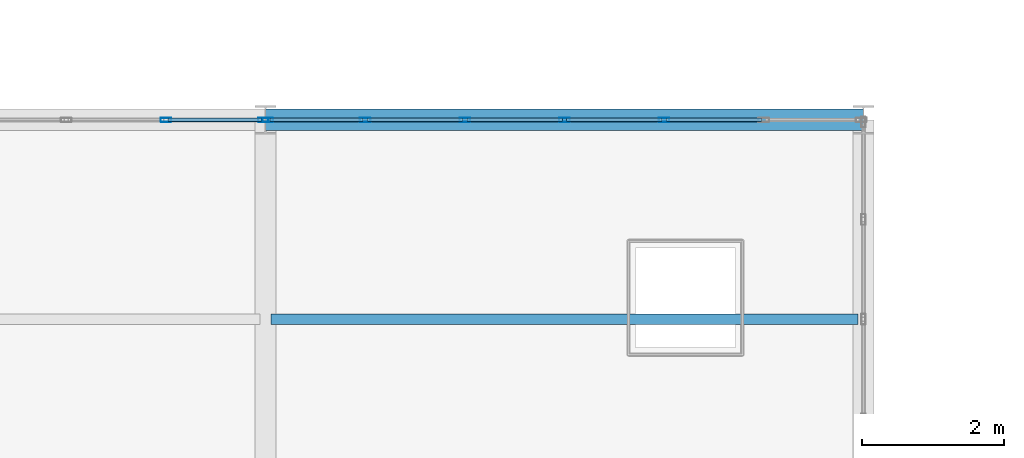
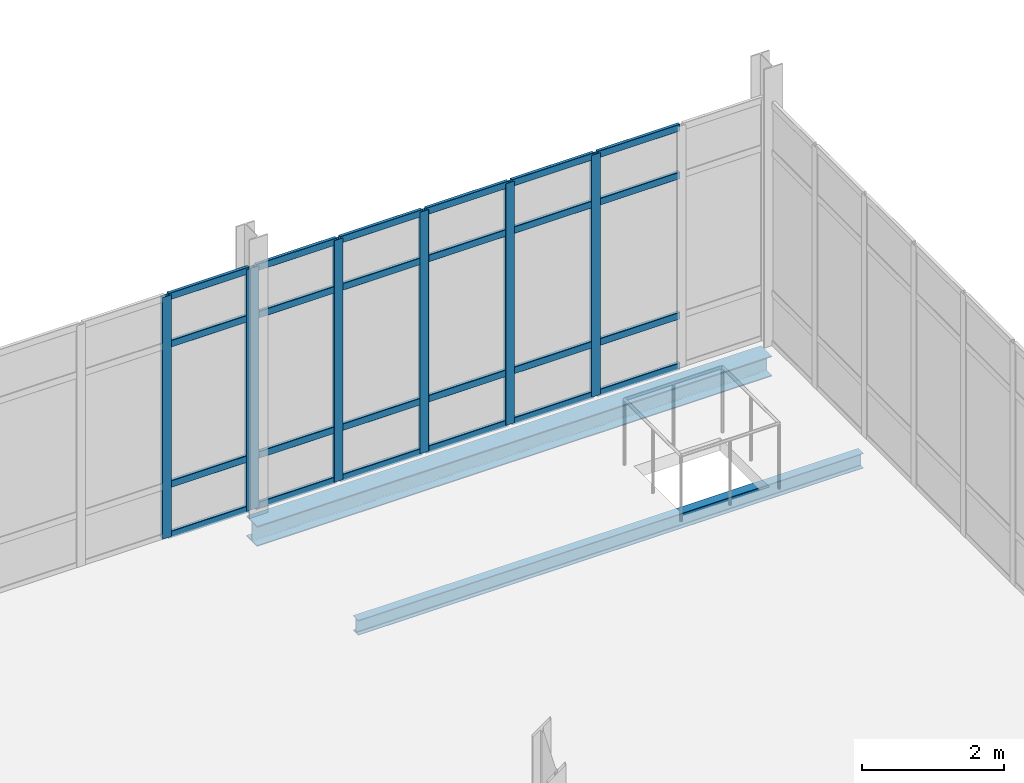
# One storey, part 67 of 145: 31 members, 2 beams, 2 elements without a shape of their own.
"""IFC4 building model written with IfcOpenShell, lengths in metres."""

from ifc_helpers import new_model, si_unit, direction, frame, origin, origin_2d, place, context, subcontext, project, spatial, hollow_rectangle, i_section, extrude, material, layer, layer_set, material_profile, profile_set, type_object, element, aggregate, save


model = new_model("IFC4")

# Units and contexts
model_context = context("Model", 3, precision=1e-05, world=origin(), true_north=direction((0.0, 1.0)))
body_context = subcontext(model_context, "Body", "Model", "MODEL_VIEW")
ifc_project = project(units=[si_unit("LENGTHUNIT", "METRE"), si_unit("AREAUNIT", "SQUARE_METRE"), si_unit("VOLUMEUNIT", "CUBIC_METRE"), si_unit("PLANEANGLEUNIT", "RADIAN"), si_unit("MASSUNIT", "GRAM", prefix="KILO")], contexts=[model_context])

# Site, building, storey
site_placement = place(None, origin())
site = spatial("IfcSite", under=ifc_project, at=site_placement, CompositionType="ELEMENT")
building_placement = place(site_placement, origin())
building = spatial("IfcBuilding", under=site, at=building_placement, Name="Qalvenar Corner Mobility Hub", CompositionType="ELEMENT")
storey_placement = place(building_placement, origin())
storey = spatial("IfcBuildingStorey", under=building, at=storey_placement, Name="L00", CompositionType="ELEMENT", Elevation=0.0)

# Beams
ifc_material_1 = material(Name="Steel S355", Category="steel")
ifc_material_profile_1 = material_profile(ifc_material_1, i_section(OverallWidth=0.14599609375, OverallDepth=0.258056640625, WebThickness=0.006103515625, FlangeThickness=0.009033203125, FilletRadius=0.011962890625, at=origin_2d()), Name="W250x32.7")
ifc_profile_set_1 = profile_set([ifc_material_profile_1], Name="Steel S355")
beam_type_1 = type_object("IfcBeamType", Name="BM-JST250", PredefinedType="JOIST", material=ifc_profile_set_1)
beam_1_placement = place(storey_placement, frame((25.278076171875, 89.60009765625, -0.34912109375), z_axis=(1.0, 0.0, 0.0), x_axis=(0.0, 1.0, 0.0)))
element("IfcBeam", 1, at=beam_1_placement, inside=storey, type_object=beam_type_1, Name="Composite Floor Joist J-0522", PredefinedType="JOIST", context=body_context, shape_type="SweptSolid", body=[
    extrude(i_section(OverallWidth=0.14599609375, OverallDepth=0.258056640625, WebThickness=0.006103515625, FlangeThickness=0.009033203125, FilletRadius=0.011962890625, at=origin_2d()), origin(), (0.0, 0.0, 1.0), 8.243896484375),
])
ifc_material_profile_2 = material_profile(ifc_material_1, i_section(OverallWidth=0.300048828125, OverallDepth=0.35009765625, WebThickness=0.010009765625, FlangeThickness=0.017578125, FilletRadius=0.027099609375, at=origin_2d()), Name="HEA360")
ifc_profile_set_2 = profile_set([ifc_material_profile_2], Name="Steel S355")
beam_type_2 = type_object("IfcBeamType", Name="BM-SPN360", PredefinedType="SPANDREL", material=ifc_profile_set_2)
beam_2_placement = place(storey_placement, frame((25.199951171875, 92.39990234375, -0.39501953125), z_axis=(1.0, 0.0, 0.0), x_axis=(0.0, 1.0, 0.0)))
element("IfcBeam", 2, at=beam_2_placement, inside=storey, type_object=beam_type_2, Name="Primary Steel Girder GX-0446", PredefinedType="SPANDREL", context=body_context, shape_type="SweptSolid", body=[
    extrude(i_section(OverallWidth=0.300048828125, OverallDepth=0.35009765625, WebThickness=0.010009765625, FlangeThickness=0.017578125, FilletRadius=0.027099609375, at=origin_2d()), origin(), (0.0, 0.0, 1.0), 8.400146484375),
])

# Curtain wall, members
ifc_material_2 = material(Name="Anodised Aluminium and Low-E Glazing", Category="aluminium")
ifc_layer = layer(ifc_material_2, 0.14990234375)
ifc_layer_set = layer_set([ifc_layer], Name="Anodised Aluminium and Low-E Glazing")
curtain_wall_type = type_object("IfcCurtainWallType", Name="CW-CYC-84X39", PredefinedType="NOTDEFINED", material=ifc_layer_set)
curtain_wall_1_placement = place(storey_placement, origin())
curtain_wall_1 = element("IfcCurtainWall", 3, at=curtain_wall_1_placement, inside=storey, type_object=curtain_wall_type, Name="Glazed Curtain Wall CW-V5-L00-N2", PredefinedType="NOTDEFINED")
ifc_material_3 = material(Name="Anodised Aluminium 6063-T6", Category="aluminium")
ifc_material_profile_3 = material_profile(ifc_material_3, hollow_rectangle(XDim=0.06005859375, YDim=0.14990234375, WallThickness=0.00390625, InnerFilletRadius=0.00390625, OuterFilletRadius=0.008056640625, at=origin_2d()), Name="RHS150x60x4")
ifc_profile_set_3 = profile_set([ifc_material_profile_3], Name="Anodised Aluminium 6063-T6")
member_type_1 = type_object("IfcMemberType", Name="CW-MUL150", PredefinedType="MULLION", material=ifc_profile_set_3)
member_1_placement = place(storey_placement, frame((25.169921875, 92.39990234375, 0.0), z_axis=(0.0, 0.0, 1.0), x_axis=(0.0, -1.0, 0.0)))
member_1 = element("IfcMember", 4, at=member_1_placement, type_object=member_type_1, Name="CW-08 mullion 1", PredefinedType="MULLION", context=body_context, shape_type="SweptSolid", body=[
    extrude(hollow_rectangle(XDim=0.06005859375, YDim=0.14990234375, WallThickness=0.00390625, InnerFilletRadius=0.00390625, OuterFilletRadius=0.008056640625, at=origin_2d()), origin(), (0.0, 0.0, 1.0), 4.169921875),
])
member_2_placement = place(storey_placement, frame((23.800048828125, 92.39990234375, 0.0), z_axis=(0.0, 0.0, 1.0), x_axis=(0.0, -1.0, 0.0)))
member_2 = element("IfcMember", 5, at=member_2_placement, type_object=member_type_1, Name="CW-08 mullion 2", PredefinedType="MULLION", context=body_context, shape_type="SweptSolid", body=[
    extrude(hollow_rectangle(XDim=0.06005859375, YDim=0.14990234375, WallThickness=0.00390625, InnerFilletRadius=0.00390625, OuterFilletRadius=0.008056640625, at=origin_2d()), origin(), (0.0, 0.0, 1.0), 4.169921875),
])

curtain_wall_2_placement = place(storey_placement, origin())
curtain_wall_2 = element("IfcCurtainWall", 6, at=curtain_wall_2_placement, inside=storey, type_object=curtain_wall_type, Name="Glazed Curtain Wall CW-V5-L00-N3", PredefinedType="NOTDEFINED")
member_3_placement = place(storey_placement, frame((30.800048828125, 92.39990234375, 0.0), z_axis=(0.0, 0.0, 1.0), x_axis=(0.0, -1.0, 0.0)))
member_3 = element("IfcMember", 7, at=member_3_placement, type_object=member_type_1, Name="CW-08 mullion 3", PredefinedType="MULLION", context=body_context, shape_type="SweptSolid", body=[
    extrude(hollow_rectangle(XDim=0.06005859375, YDim=0.14990234375, WallThickness=0.00390625, InnerFilletRadius=0.00390625, OuterFilletRadius=0.008056640625, at=origin_2d()), origin(), (0.0, 0.0, 1.0), 4.169921875),
])
member_4_placement = place(storey_placement, frame((29.39990234375, 92.39990234375, 0.0), z_axis=(0.0, 0.0, 1.0), x_axis=(0.0, -1.0, 0.0)))
member_4 = element("IfcMember", 8, at=member_4_placement, type_object=member_type_1, Name="CW-08 mullion 4", PredefinedType="MULLION", context=body_context, shape_type="SweptSolid", body=[
    extrude(hollow_rectangle(XDim=0.06005859375, YDim=0.14990234375, WallThickness=0.00390625, InnerFilletRadius=0.00390625, OuterFilletRadius=0.008056640625, at=origin_2d()), origin(), (0.0, 0.0, 1.0), 4.169921875),
])
member_5_placement = place(storey_placement, frame((28.0, 92.39990234375, 0.0), z_axis=(0.0, 0.0, 1.0), x_axis=(0.0, -1.0, 0.0)))
member_5 = element("IfcMember", 9, at=member_5_placement, type_object=member_type_1, Name="CW-08 mullion 5", PredefinedType="MULLION", context=body_context, shape_type="SweptSolid", body=[
    extrude(hollow_rectangle(XDim=0.06005859375, YDim=0.14990234375, WallThickness=0.00390625, InnerFilletRadius=0.00390625, OuterFilletRadius=0.008056640625, at=origin_2d()), origin(), (0.0, 0.0, 1.0), 4.169921875),
])
member_6_placement = place(storey_placement, frame((26.60009765625, 92.39990234375, 0.0), z_axis=(0.0, 0.0, 1.0), x_axis=(0.0, -1.0, 0.0)))
member_6 = element("IfcMember", 10, at=member_6_placement, type_object=member_type_1, Name="CW-08 mullion 6", PredefinedType="MULLION", context=body_context, shape_type="SweptSolid", body=[
    extrude(hollow_rectangle(XDim=0.06005859375, YDim=0.14990234375, WallThickness=0.00390625, InnerFilletRadius=0.00390625, OuterFilletRadius=0.008056640625, at=origin_2d()), origin(), (0.0, 0.0, 1.0), 4.169921875),
])
member_7_placement = place(storey_placement, frame((25.22998046875, 92.39990234375, 0.0), z_axis=(0.0, 0.0, 1.0), x_axis=(0.0, -1.0, 0.0)))
member_7 = element("IfcMember", 11, at=member_7_placement, type_object=member_type_1, Name="CW-08 mullion 7", PredefinedType="MULLION", context=body_context, shape_type="SweptSolid", body=[
    extrude(hollow_rectangle(XDim=0.06005859375, YDim=0.14990234375, WallThickness=0.00390625, InnerFilletRadius=0.00390625, OuterFilletRadius=0.008056640625, at=origin_2d()), origin(), (0.0, 0.0, 1.0), 4.169921875),
])

# Member
ifc_material_profile_4 = material_profile(ifc_material_3, hollow_rectangle(XDim=0.054931640625, YDim=0.1201171875, WallThickness=0.00341796875, InnerFilletRadius=0.00341796875, OuterFilletRadius=0.007080078125, at=origin_2d()), Name="RHS120x55x3.5")
ifc_profile_set_4 = profile_set([ifc_material_profile_4], Name="Anodised Aluminium 6063-T6")
member_type_2 = type_object("IfcMemberType", Name="CW-TRN120", PredefinedType="USERDEFINED", material=ifc_profile_set_4)
member_8_placement = place(storey_placement, frame((25.139892578125, 92.39990234375, 0.027587890625), z_axis=(-1.0, 0.0, 0.0), x_axis=(0.0, -1.0, 0.0)))
member_8 = element("IfcMember", 12, at=member_8_placement, type_object=member_type_2, Name="CW-08 transom 1.1", ObjectType="TRANSOM", PredefinedType="USERDEFINED", context=body_context, shape_type="SweptSolid", body=[
    extrude(hollow_rectangle(XDim=0.054931640625, YDim=0.1201171875, WallThickness=0.00341796875, InnerFilletRadius=0.00341796875, OuterFilletRadius=0.007080078125, at=origin_2d()), origin(), (0.0, 0.0, 1.0), 1.309814453125),
])

member_9_placement = place(storey_placement, frame((25.139892578125, 92.39990234375, 0.89990234375), z_axis=(-1.0, 0.0, 0.0), x_axis=(0.0, -1.0, 0.0)))
member_9 = element("IfcMember", 13, at=member_9_placement, type_object=member_type_2, Name="CW-08 transom 1.2", ObjectType="TRANSOM", PredefinedType="USERDEFINED", context=body_context, shape_type="SweptSolid", body=[
    extrude(hollow_rectangle(XDim=0.054931640625, YDim=0.1201171875, WallThickness=0.00341796875, InnerFilletRadius=0.00341796875, OuterFilletRadius=0.007080078125, at=origin_2d()), origin(), (0.0, 0.0, 1.0), 1.309814453125),
])

member_10_placement = place(storey_placement, frame((25.139892578125, 92.39990234375, 3.320068359375), z_axis=(-1.0, 0.0, 0.0), x_axis=(0.0, -1.0, 0.0)))
member_10 = element("IfcMember", 14, at=member_10_placement, type_object=member_type_2, Name="CW-08 transom 1.3", ObjectType="TRANSOM", PredefinedType="USERDEFINED", context=body_context, shape_type="SweptSolid", body=[
    extrude(hollow_rectangle(XDim=0.054931640625, YDim=0.1201171875, WallThickness=0.00341796875, InnerFilletRadius=0.00341796875, OuterFilletRadius=0.007080078125, at=origin_2d()), origin(), (0.0, 0.0, 1.0), 1.309814453125),
])

member_11_placement = place(storey_placement, frame((25.139892578125, 92.39990234375, 4.142578125), z_axis=(-1.0, 0.0, 0.0), x_axis=(0.0, -1.0, 0.0)))
member_11 = element("IfcMember", 15, at=member_11_placement, type_object=member_type_2, Name="CW-08 transom 1.4", ObjectType="TRANSOM", PredefinedType="USERDEFINED", context=body_context, shape_type="SweptSolid", body=[
    extrude(hollow_rectangle(XDim=0.054931640625, YDim=0.1201171875, WallThickness=0.00341796875, InnerFilletRadius=0.00341796875, OuterFilletRadius=0.007080078125, at=origin_2d()), origin(), (0.0, 0.0, 1.0), 1.309814453125),
])

aggregate(curtain_wall_1, [member_1, member_2, member_8, member_9, member_10, member_11])

member_12_placement = place(storey_placement, frame((32.169921875, 92.39990234375, 0.027587890625), z_axis=(-1.0, 0.0, 0.0), x_axis=(0.0, -1.0, 0.0)))
member_12 = element("IfcMember", 16, at=member_12_placement, type_object=member_type_2, Name="CW-08 transom 2.1", ObjectType="TRANSOM", PredefinedType="USERDEFINED", context=body_context, shape_type="SweptSolid", body=[
    extrude(hollow_rectangle(XDim=0.054931640625, YDim=0.1201171875, WallThickness=0.00341796875, InnerFilletRadius=0.00341796875, OuterFilletRadius=0.007080078125, at=origin_2d()), origin(), (0.0, 0.0, 1.0), 1.33984375),
])

member_13_placement = place(storey_placement, frame((32.169921875, 92.39990234375, 0.89990234375), z_axis=(-1.0, 0.0, 0.0), x_axis=(0.0, -1.0, 0.0)))
member_13 = element("IfcMember", 17, at=member_13_placement, type_object=member_type_2, Name="CW-08 transom 2.2", ObjectType="TRANSOM", PredefinedType="USERDEFINED", context=body_context, shape_type="SweptSolid", body=[
    extrude(hollow_rectangle(XDim=0.054931640625, YDim=0.1201171875, WallThickness=0.00341796875, InnerFilletRadius=0.00341796875, OuterFilletRadius=0.007080078125, at=origin_2d()), origin(), (0.0, 0.0, 1.0), 1.33984375),
])

member_14_placement = place(storey_placement, frame((32.169921875, 92.39990234375, 3.320068359375), z_axis=(-1.0, 0.0, 0.0), x_axis=(0.0, -1.0, 0.0)))
member_14 = element("IfcMember", 18, at=member_14_placement, type_object=member_type_2, Name="CW-08 transom 2.3", ObjectType="TRANSOM", PredefinedType="USERDEFINED", context=body_context, shape_type="SweptSolid", body=[
    extrude(hollow_rectangle(XDim=0.054931640625, YDim=0.1201171875, WallThickness=0.00341796875, InnerFilletRadius=0.00341796875, OuterFilletRadius=0.007080078125, at=origin_2d()), origin(), (0.0, 0.0, 1.0), 1.33984375),
])

member_15_placement = place(storey_placement, frame((32.169921875, 92.39990234375, 4.142578125), z_axis=(-1.0, 0.0, 0.0), x_axis=(0.0, -1.0, 0.0)))
member_15 = element("IfcMember", 19, at=member_15_placement, type_object=member_type_2, Name="CW-08 transom 2.4", ObjectType="TRANSOM", PredefinedType="USERDEFINED", context=body_context, shape_type="SweptSolid", body=[
    extrude(hollow_rectangle(XDim=0.054931640625, YDim=0.1201171875, WallThickness=0.00341796875, InnerFilletRadius=0.00341796875, OuterFilletRadius=0.007080078125, at=origin_2d()), origin(), (0.0, 0.0, 1.0), 1.33984375),
])

member_16_placement = place(storey_placement, frame((30.77001953125, 92.39990234375, 0.027587890625), z_axis=(-1.0, 0.0, 0.0), x_axis=(0.0, -1.0, 0.0)))
member_16 = element("IfcMember", 20, at=member_16_placement, type_object=member_type_2, Name="CW-08 transom 3.1", ObjectType="TRANSOM", PredefinedType="USERDEFINED", context=body_context, shape_type="SweptSolid", body=[
    extrude(hollow_rectangle(XDim=0.054931640625, YDim=0.1201171875, WallThickness=0.00341796875, InnerFilletRadius=0.00341796875, OuterFilletRadius=0.007080078125, at=origin_2d()), origin(), (0.0, 0.0, 1.0), 1.340087890625),
])

member_17_placement = place(storey_placement, frame((30.77001953125, 92.39990234375, 0.89990234375), z_axis=(-1.0, 0.0, 0.0), x_axis=(0.0, -1.0, 0.0)))
member_17 = element("IfcMember", 21, at=member_17_placement, type_object=member_type_2, Name="CW-08 transom 3.2", ObjectType="TRANSOM", PredefinedType="USERDEFINED", context=body_context, shape_type="SweptSolid", body=[
    extrude(hollow_rectangle(XDim=0.054931640625, YDim=0.1201171875, WallThickness=0.00341796875, InnerFilletRadius=0.00341796875, OuterFilletRadius=0.007080078125, at=origin_2d()), origin(), (0.0, 0.0, 1.0), 1.340087890625),
])

member_18_placement = place(storey_placement, frame((30.77001953125, 92.39990234375, 3.320068359375), z_axis=(-1.0, 0.0, 0.0), x_axis=(0.0, -1.0, 0.0)))
member_18 = element("IfcMember", 22, at=member_18_placement, type_object=member_type_2, Name="CW-08 transom 3.3", ObjectType="TRANSOM", PredefinedType="USERDEFINED", context=body_context, shape_type="SweptSolid", body=[
    extrude(hollow_rectangle(XDim=0.054931640625, YDim=0.1201171875, WallThickness=0.00341796875, InnerFilletRadius=0.00341796875, OuterFilletRadius=0.007080078125, at=origin_2d()), origin(), (0.0, 0.0, 1.0), 1.340087890625),
])

member_19_placement = place(storey_placement, frame((30.77001953125, 92.39990234375, 4.142578125), z_axis=(-1.0, 0.0, 0.0), x_axis=(0.0, -1.0, 0.0)))
member_19 = element("IfcMember", 23, at=member_19_placement, type_object=member_type_2, Name="CW-08 transom 3.4", ObjectType="TRANSOM", PredefinedType="USERDEFINED", context=body_context, shape_type="SweptSolid", body=[
    extrude(hollow_rectangle(XDim=0.054931640625, YDim=0.1201171875, WallThickness=0.00341796875, InnerFilletRadius=0.00341796875, OuterFilletRadius=0.007080078125, at=origin_2d()), origin(), (0.0, 0.0, 1.0), 1.340087890625),
])

member_20_placement = place(storey_placement, frame((29.3701171875, 92.39990234375, 0.027587890625), z_axis=(-1.0, 0.0, 0.0), x_axis=(0.0, -1.0, 0.0)))
member_20 = element("IfcMember", 24, at=member_20_placement, type_object=member_type_2, Name="CW-08 transom 4.1", ObjectType="TRANSOM", PredefinedType="USERDEFINED", context=body_context, shape_type="SweptSolid", body=[
    extrude(hollow_rectangle(XDim=0.054931640625, YDim=0.1201171875, WallThickness=0.00341796875, InnerFilletRadius=0.00341796875, OuterFilletRadius=0.007080078125, at=origin_2d()), origin(), (0.0, 0.0, 1.0), 1.340087890625),
])

member_21_placement = place(storey_placement, frame((29.3701171875, 92.39990234375, 0.89990234375), z_axis=(-1.0, 0.0, 0.0), x_axis=(0.0, -1.0, 0.0)))
member_21 = element("IfcMember", 25, at=member_21_placement, type_object=member_type_2, Name="CW-08 transom 4.2", ObjectType="TRANSOM", PredefinedType="USERDEFINED", context=body_context, shape_type="SweptSolid", body=[
    extrude(hollow_rectangle(XDim=0.054931640625, YDim=0.1201171875, WallThickness=0.00341796875, InnerFilletRadius=0.00341796875, OuterFilletRadius=0.007080078125, at=origin_2d()), origin(), (0.0, 0.0, 1.0), 1.340087890625),
])

member_22_placement = place(storey_placement, frame((29.3701171875, 92.39990234375, 3.320068359375), z_axis=(-1.0, 0.0, 0.0), x_axis=(0.0, -1.0, 0.0)))
member_22 = element("IfcMember", 26, at=member_22_placement, type_object=member_type_2, Name="CW-08 transom 4.3", ObjectType="TRANSOM", PredefinedType="USERDEFINED", context=body_context, shape_type="SweptSolid", body=[
    extrude(hollow_rectangle(XDim=0.054931640625, YDim=0.1201171875, WallThickness=0.00341796875, InnerFilletRadius=0.00341796875, OuterFilletRadius=0.007080078125, at=origin_2d()), origin(), (0.0, 0.0, 1.0), 1.340087890625),
])

member_23_placement = place(storey_placement, frame((29.3701171875, 92.39990234375, 4.142578125), z_axis=(-1.0, 0.0, 0.0), x_axis=(0.0, -1.0, 0.0)))
member_23 = element("IfcMember", 27, at=member_23_placement, type_object=member_type_2, Name="CW-08 transom 4.4", ObjectType="TRANSOM", PredefinedType="USERDEFINED", context=body_context, shape_type="SweptSolid", body=[
    extrude(hollow_rectangle(XDim=0.054931640625, YDim=0.1201171875, WallThickness=0.00341796875, InnerFilletRadius=0.00341796875, OuterFilletRadius=0.007080078125, at=origin_2d()), origin(), (0.0, 0.0, 1.0), 1.340087890625),
])

member_24_placement = place(storey_placement, frame((27.969970703125, 92.39990234375, 0.027587890625), z_axis=(-1.0, 0.0, 0.0), x_axis=(0.0, -1.0, 0.0)))
member_24 = element("IfcMember", 28, at=member_24_placement, type_object=member_type_2, Name="CW-08 transom 5.1", ObjectType="TRANSOM", PredefinedType="USERDEFINED", context=body_context, shape_type="SweptSolid", body=[
    extrude(hollow_rectangle(XDim=0.054931640625, YDim=0.1201171875, WallThickness=0.00341796875, InnerFilletRadius=0.00341796875, OuterFilletRadius=0.007080078125, at=origin_2d()), origin(), (0.0, 0.0, 1.0), 1.340087890625),
])

member_25_placement = place(storey_placement, frame((27.969970703125, 92.39990234375, 0.89990234375), z_axis=(-1.0, 0.0, 0.0), x_axis=(0.0, -1.0, 0.0)))
member_25 = element("IfcMember", 29, at=member_25_placement, type_object=member_type_2, Name="CW-08 transom 5.2", ObjectType="TRANSOM", PredefinedType="USERDEFINED", context=body_context, shape_type="SweptSolid", body=[
    extrude(hollow_rectangle(XDim=0.054931640625, YDim=0.1201171875, WallThickness=0.00341796875, InnerFilletRadius=0.00341796875, OuterFilletRadius=0.007080078125, at=origin_2d()), origin(), (0.0, 0.0, 1.0), 1.340087890625),
])

member_26_placement = place(storey_placement, frame((27.969970703125, 92.39990234375, 3.320068359375), z_axis=(-1.0, 0.0, 0.0), x_axis=(0.0, -1.0, 0.0)))
member_26 = element("IfcMember", 30, at=member_26_placement, type_object=member_type_2, Name="CW-08 transom 5.3", ObjectType="TRANSOM", PredefinedType="USERDEFINED", context=body_context, shape_type="SweptSolid", body=[
    extrude(hollow_rectangle(XDim=0.054931640625, YDim=0.1201171875, WallThickness=0.00341796875, InnerFilletRadius=0.00341796875, OuterFilletRadius=0.007080078125, at=origin_2d()), origin(), (0.0, 0.0, 1.0), 1.340087890625),
])

member_27_placement = place(storey_placement, frame((27.969970703125, 92.39990234375, 4.142578125), z_axis=(-1.0, 0.0, 0.0), x_axis=(0.0, -1.0, 0.0)))
member_27 = element("IfcMember", 31, at=member_27_placement, type_object=member_type_2, Name="CW-08 transom 5.4", ObjectType="TRANSOM", PredefinedType="USERDEFINED", context=body_context, shape_type="SweptSolid", body=[
    extrude(hollow_rectangle(XDim=0.054931640625, YDim=0.1201171875, WallThickness=0.00341796875, InnerFilletRadius=0.00341796875, OuterFilletRadius=0.007080078125, at=origin_2d()), origin(), (0.0, 0.0, 1.0), 1.340087890625),
])

member_28_placement = place(storey_placement, frame((26.570068359375, 92.39990234375, 0.027587890625), z_axis=(-1.0, 0.0, 0.0), x_axis=(0.0, -1.0, 0.0)))
member_28 = element("IfcMember", 32, at=member_28_placement, type_object=member_type_2, Name="CW-08 transom 6.1", ObjectType="TRANSOM", PredefinedType="USERDEFINED", context=body_context, shape_type="SweptSolid", body=[
    extrude(hollow_rectangle(XDim=0.054931640625, YDim=0.1201171875, WallThickness=0.00341796875, InnerFilletRadius=0.00341796875, OuterFilletRadius=0.007080078125, at=origin_2d()), origin(), (0.0, 0.0, 1.0), 1.31005859375),
])

member_29_placement = place(storey_placement, frame((26.570068359375, 92.39990234375, 0.89990234375), z_axis=(-1.0, 0.0, 0.0), x_axis=(0.0, -1.0, 0.0)))
member_29 = element("IfcMember", 33, at=member_29_placement, type_object=member_type_2, Name="CW-08 transom 6.2", ObjectType="TRANSOM", PredefinedType="USERDEFINED", context=body_context, shape_type="SweptSolid", body=[
    extrude(hollow_rectangle(XDim=0.054931640625, YDim=0.1201171875, WallThickness=0.00341796875, InnerFilletRadius=0.00341796875, OuterFilletRadius=0.007080078125, at=origin_2d()), origin(), (0.0, 0.0, 1.0), 1.31005859375),
])

member_30_placement = place(storey_placement, frame((26.570068359375, 92.39990234375, 3.320068359375), z_axis=(-1.0, 0.0, 0.0), x_axis=(0.0, -1.0, 0.0)))
member_30 = element("IfcMember", 34, at=member_30_placement, type_object=member_type_2, Name="CW-08 transom 6.3", ObjectType="TRANSOM", PredefinedType="USERDEFINED", context=body_context, shape_type="SweptSolid", body=[
    extrude(hollow_rectangle(XDim=0.054931640625, YDim=0.1201171875, WallThickness=0.00341796875, InnerFilletRadius=0.00341796875, OuterFilletRadius=0.007080078125, at=origin_2d()), origin(), (0.0, 0.0, 1.0), 1.31005859375),
])

member_31_placement = place(storey_placement, frame((26.570068359375, 92.39990234375, 4.142578125), z_axis=(-1.0, 0.0, 0.0), x_axis=(0.0, -1.0, 0.0)))
member_31 = element("IfcMember", 35, at=member_31_placement, type_object=member_type_2, Name="CW-08 transom 6.4", ObjectType="TRANSOM", PredefinedType="USERDEFINED", context=body_context, shape_type="SweptSolid", body=[
    extrude(hollow_rectangle(XDim=0.054931640625, YDim=0.1201171875, WallThickness=0.00341796875, InnerFilletRadius=0.00341796875, OuterFilletRadius=0.007080078125, at=origin_2d()), origin(), (0.0, 0.0, 1.0), 1.31005859375),
])

aggregate(curtain_wall_2, [member_3, member_4, member_5, member_6, member_7, member_12, member_13, member_14, member_15, member_16, member_17, member_18, member_19, member_20, member_21, member_22, member_23, member_24, member_25, member_26, member_27, member_28, member_29, member_30, member_31])

save(model, "model.ifc")
